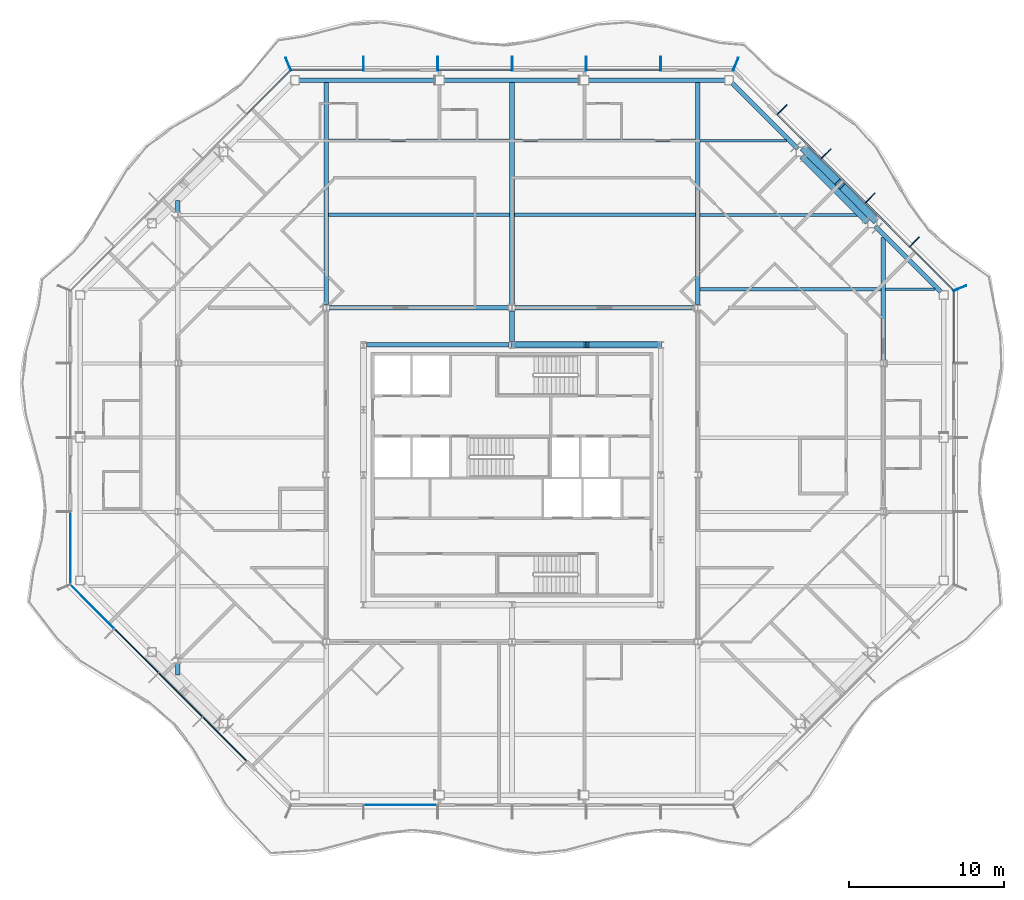
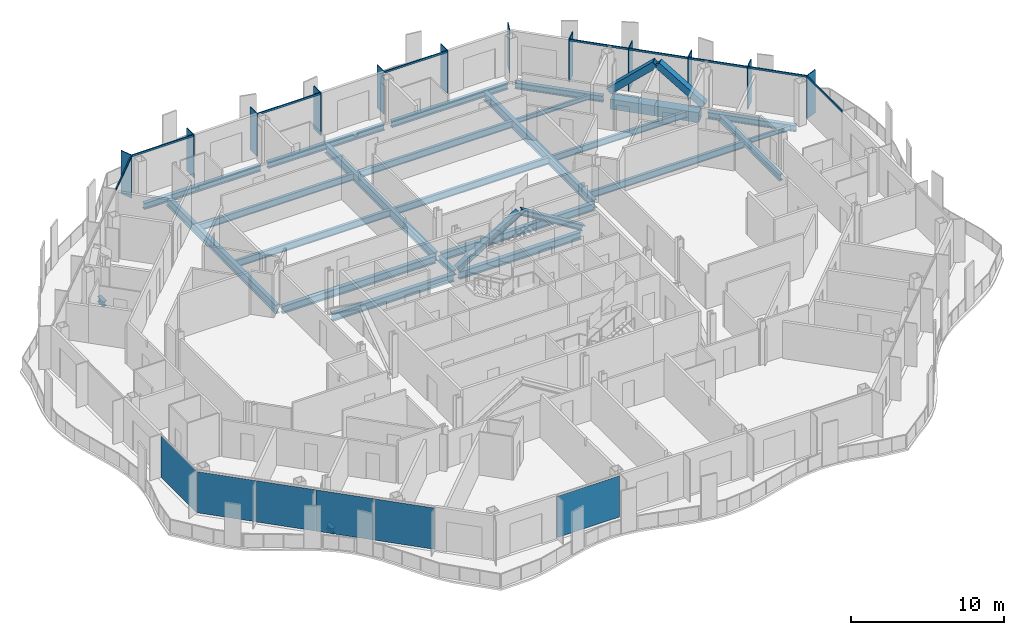
# One storey, part 5 of 21: 26 beams, 25 members, 6 plates, 7 elements without a shape of their own.
"""IFC4 building model written with IfcOpenShell, lengths in metres."""

from ifc_helpers import new_model, si_unit, direction, frame, origin, origin_2d, place, context, subcontext, project, spatial, rectangle, hollow_rectangle, i_section, extrude, material, layer, layer_set, material_profile, profile_set, type_object, element, aggregate, save


model = new_model("IFC4")

# Units and contexts
model_context = context("Model", 3, precision=1e-05, world=origin(), true_north=direction((0.0, 1.0)))
body_context = subcontext(model_context, "Body", "Model", "MODEL_VIEW")
ifc_project = project(units=[si_unit("LENGTHUNIT", "METRE"), si_unit("AREAUNIT", "SQUARE_METRE"), si_unit("VOLUMEUNIT", "CUBIC_METRE"), si_unit("PLANEANGLEUNIT", "RADIAN"), si_unit("MASSUNIT", "GRAM", prefix="KILO")], contexts=[model_context])

# Site, building, storey
site_placement = place(None, origin())
site = spatial("IfcSite", under=ifc_project, at=site_placement, CompositionType="ELEMENT")
building_placement = place(site_placement, origin())
building = spatial("IfcBuilding", under=site, at=building_placement, Name="Cairn Pilgrim Tower", CompositionType="ELEMENT")
storey_placement = place(building_placement, frame((0.0, 0.0, 168.60009765625)))
storey = spatial("IfcBuildingStorey", under=building, at=storey_placement, Name="L42", CompositionType="ELEMENT", Elevation=168.60009765625)

# Members
ifc_material_1 = material(Name="Structural steel S460M", Category="steel")
ifc_material_profile_1 = material_profile(ifc_material_1, hollow_rectangle(XDim=0.5, YDim=0.5, WallThickness=0.030029296875, at=origin_2d()), Name="BOX 500x500x30")
ifc_profile_set_1 = profile_set([ifc_material_profile_1], Name="Structural steel S460M")
member_type_1 = type_object("IfcMemberType", Name="BOX 500x500x30 BRACE", PredefinedType="BRACE", material=ifc_profile_set_1)
for number, where, z_axis, x_axis, name in (
    (1, (30.643310546875, 18.89794921875, 0.14990234375), (-0.53283023714, 0.540432836476, 0.651171473306), (-0.712097799006, -0.702080283622, 0.0), "XB-NE2-NE3-1"),
    (2, (26.097900390625, 23.443359375, 0.14990234375), (0.540432836476, -0.53283023714, 0.651171473306), (0.702080283622, 0.712097799006, 0.0), "XB-NE2-NE3-2"),
):
    element("IfcMember", number, at=place(storey_placement, frame(where, z_axis=z_axis, x_axis=x_axis)), inside=storey, type_object=member_type_1, Name=name, PredefinedType="BRACE", context=body_context, shape_type="SweptSolid", body=[
        extrude(hollow_rectangle(XDim=0.5, YDim=0.5, WallThickness=0.030029296875, at=origin_2d()), origin(), (0.0, 0.0, 1.0), 4.142578125),
    ])

# Beams
ifc_material_2 = material(Name="Structural steel S355J2", Category="steel")
ifc_material_profile_2 = material_profile(ifc_material_2, hollow_rectangle(XDim=0.699951171875, YDim=0.800048828125, WallThickness=0.0400390625, at=origin_2d()), Name="BOX 700x800x40")
ifc_profile_set_2 = profile_set([ifc_material_profile_2], Name="Structural steel S355J2")
beam_type_1 = type_object("IfcBeamType", Name="BOX 700x800x40 RING GIRDER", PredefinedType="SPANDREL", material=ifc_profile_set_2)
beam_1_placement = place(storey_placement, frame((30.284912109375, 18.84228515625, -0.550048828125), z_axis=(-0.707106781187, 0.707106781187, 0.0), x_axis=(-0.707106781187, -0.707106781187, 0.0)))
element("IfcBeam", 3, at=beam_1_placement, inside=storey, type_object=beam_type_1, Name="RG2-NE2-NE3-1", PredefinedType="SPANDREL", context=body_context, shape_type="SweptSolid", body=[
    extrude(hollow_rectangle(XDim=0.699951171875, YDim=0.800048828125, WallThickness=0.0400390625, at=origin_2d()), origin(), (0.0, 0.0, 1.0), 3.0),
])
beam_2_placement = place(storey_placement, frame((28.16357421875, 20.963623046875, -0.550048828125), z_axis=(-0.707106781187, 0.707106781187, 0.0), x_axis=(-0.707106781187, -0.707106781187, 0.0)))
element("IfcBeam", 4, at=beam_2_placement, inside=storey, type_object=beam_type_1, Name="RG2-NE2-NE3-2", PredefinedType="SPANDREL", context=body_context, shape_type="SweptSolid", body=[
    extrude(hollow_rectangle(XDim=0.699951171875, YDim=0.800048828125, WallThickness=0.0400390625, at=origin_2d()), origin(), (0.0, 0.0, 1.0), 2.999755859375),
])

# Curtain wall, members
ifc_material_3 = material(Name="Aluminium alloy 6063-T6 bronze anodised with Bronze tinted laminated low-E glass 8+16+8.8", Category="aluminium")
curtain_wall_type_1 = type_object("IfcCurtainWallType", Name="CHAMFER CORNER CURTAIN WALL", PredefinedType="NOTDEFINED", material=ifc_material_3)
curtain_wall_1_placement = place(storey_placement, origin())
curtain_wall_1 = element("IfcCurtainWall", 5, at=curtain_wall_1_placement, inside=storey, type_object=curtain_wall_type_1, Name="Chamfer Corner Curtain Wall NE", PredefinedType="NOTDEFINED")
ifc_material_4 = material(Name="Aluminium alloy 6063-T6 bronze anodised", Category="aluminium")
ifc_material_profile_3 = material_profile(ifc_material_4, rectangle(XDim=0.89990234375, YDim=0.06005859375, at=origin_2d()), Name="FIN MULLION 60x900 BRONZE")
ifc_profile_set_3 = profile_set([ifc_material_profile_3], Name="Aluminium alloy 6063-T6 bronze anodised")
member_type_2 = type_object("IfcMemberType", Name="FIN MULLION 60x900 BRONZE", PredefinedType="MULLION", material=ifc_profile_set_3)
member_1_placement = place(storey_placement, frame((36.137939453125, 14.457275390625, 0.0), z_axis=(0.0, 0.0, 1.0), x_axis=(0.923879532511, 0.382683432365, 0.0)))
member_1 = element("IfcMember", 6, at=member_1_placement, type_object=member_type_2, Name="Fin mullion NE1", PredefinedType="MULLION", context=body_context, shape_type="SweptSolid", body=[
    extrude(rectangle(XDim=0.89990234375, YDim=0.06005859375, at=origin_2d()), origin(), (0.0, 0.0, 1.0), 3.449951171875),
])
member_2_placement = place(storey_placement, frame((33.1962890625, 17.444091796875, 0.0), z_axis=(0.0, 0.0, 1.0), x_axis=(0.707106781187, 0.707106781187, 0.0)))
member_2 = element("IfcMember", 7, at=member_2_placement, type_object=member_type_2, Name="Fin mullion NE2", PredefinedType="MULLION", context=body_context, shape_type="SweptSolid", body=[
    extrude(rectangle(XDim=0.89990234375, YDim=0.06005859375, at=origin_2d()), origin(), (0.0, 0.0, 1.0), 3.449951171875),
])
member_3_placement = place(storey_placement, frame((30.345458984375, 20.294921875, 0.0), z_axis=(0.0, 0.0, 1.0), x_axis=(0.707106781187, 0.707106781187, 0.0)))
member_3 = element("IfcMember", 8, at=member_3_placement, type_object=member_type_2, Name="Fin mullion NE3", PredefinedType="MULLION", context=body_context, shape_type="SweptSolid", body=[
    extrude(rectangle(XDim=0.89990234375, YDim=0.06005859375, at=origin_2d()), origin(), (0.0, 0.0, 1.0), 3.449951171875),
])
member_4_placement = place(storey_placement, frame((27.494873046875, 23.1455078125, 0.0), z_axis=(0.0, 0.0, 1.0), x_axis=(0.707106781187, 0.707106781187, 0.0)))
member_4 = element("IfcMember", 9, at=member_4_placement, type_object=member_type_2, Name="Fin mullion NE4", PredefinedType="MULLION", context=body_context, shape_type="SweptSolid", body=[
    extrude(rectangle(XDim=0.89990234375, YDim=0.06005859375, at=origin_2d()), origin(), (0.0, 0.0, 1.0), 3.449951171875),
])
member_5_placement = place(storey_placement, frame((24.64404296875, 25.996337890625, 0.0), z_axis=(0.0, 0.0, 1.0), x_axis=(0.707106781187, 0.707106781187, 0.0)))
member_5 = element("IfcMember", 10, at=member_5_placement, type_object=member_type_2, Name="Fin mullion NE5", PredefinedType="MULLION", context=body_context, shape_type="SweptSolid", body=[
    extrude(rectangle(XDim=0.89990234375, YDim=0.06005859375, at=origin_2d()), origin(), (0.0, 0.0, 1.0), 3.449951171875),
])

curtain_wall_type_2 = type_object("IfcCurtainWallType", Name="TOWER STICK CURTAIN WALL NS", PredefinedType="NOTDEFINED", material=ifc_material_3)
curtain_wall_2_placement = place(storey_placement, origin())
curtain_wall_2 = element("IfcCurtainWall", 11, at=curtain_wall_2_placement, inside=storey, type_object=curtain_wall_type_2, Name="Tower Stick Curtain Wall Ns N", PredefinedType="NOTDEFINED")
member_6_placement = place(storey_placement, frame((21.6572265625, 28.93798828125, 0.0), z_axis=(0.0, 0.0, 1.0), x_axis=(0.382683432365, 0.923879532511, 0.0)))
member_6 = element("IfcMember", 12, at=member_6_placement, type_object=member_type_2, Name="Fin mullion N1", PredefinedType="MULLION", context=body_context, shape_type="SweptSolid", body=[
    extrude(rectangle(XDim=0.89990234375, YDim=0.06005859375, at=origin_2d()), origin(), (0.0, 0.0, 1.0), 3.449951171875),
])
member_7_placement = place(storey_placement, frame((16.800048828125, 28.969970703125, 0.0), z_axis=(0.0, 0.0, 1.0), x_axis=(0.0, 1.0, 0.0)))
member_7 = element("IfcMember", 13, at=member_7_placement, type_object=member_type_2, Name="Fin mullion N2", PredefinedType="MULLION", context=body_context, shape_type="SweptSolid", body=[
    extrude(rectangle(XDim=0.89990234375, YDim=0.06005859375, at=origin_2d()), origin(), (0.0, 0.0, 1.0), 3.449951171875),
])
member_8_placement = place(storey_placement, frame((12.0, 28.969970703125, 0.0), z_axis=(0.0, 0.0, 1.0), x_axis=(0.0, 1.0, 0.0)))
member_8 = element("IfcMember", 14, at=member_8_placement, type_object=member_type_2, Name="Fin mullion N3", PredefinedType="MULLION", context=body_context, shape_type="SweptSolid", body=[
    extrude(rectangle(XDim=0.89990234375, YDim=0.06005859375, at=origin_2d()), origin(), (0.0, 0.0, 1.0), 3.449951171875),
])
member_9_placement = place(storey_placement, frame((7.199951171875, 28.969970703125, 0.0), z_axis=(0.0, 0.0, 1.0), x_axis=(0.0, 1.0, 0.0)))
member_9 = element("IfcMember", 15, at=member_9_placement, type_object=member_type_2, Name="Fin mullion N4", PredefinedType="MULLION", context=body_context, shape_type="SweptSolid", body=[
    extrude(rectangle(XDim=0.89990234375, YDim=0.06005859375, at=origin_2d()), origin(), (0.0, 0.0, 1.0), 3.449951171875),
])
member_10_placement = place(storey_placement, frame((2.39990234375, 28.969970703125, 0.0), z_axis=(0.0, 0.0, 1.0), x_axis=(0.0, 1.0, 0.0)))
member_10 = element("IfcMember", 16, at=member_10_placement, type_object=member_type_2, Name="Fin mullion N5", PredefinedType="MULLION", context=body_context, shape_type="SweptSolid", body=[
    extrude(rectangle(XDim=0.89990234375, YDim=0.06005859375, at=origin_2d()), origin(), (0.0, 0.0, 1.0), 3.449951171875),
])
member_11_placement = place(storey_placement, frame((-2.39990234375, 28.969970703125, 0.0), z_axis=(0.0, 0.0, 1.0), x_axis=(0.0, 1.0, 0.0)))
member_11 = element("IfcMember", 17, at=member_11_placement, type_object=member_type_2, Name="Fin mullion N6", PredefinedType="MULLION", context=body_context, shape_type="SweptSolid", body=[
    extrude(rectangle(XDim=0.89990234375, YDim=0.06005859375, at=origin_2d()), origin(), (0.0, 0.0, 1.0), 3.449951171875),
])

# Curtain wall, member
curtain_wall_3_placement = place(storey_placement, origin())
curtain_wall_3 = element("IfcCurtainWall", 18, at=curtain_wall_3_placement, inside=storey, type_object=curtain_wall_type_1, Name="Chamfer Corner Curtain Wall NW", PredefinedType="NOTDEFINED")
member_12_placement = place(storey_placement, frame((-7.257080078125, 28.93798828125, 0.0), z_axis=(0.0, 0.0, 1.0), x_axis=(-0.382683432365, 0.923879532511, 0.0)))
member_12 = element("IfcMember", 19, at=member_12_placement, type_object=member_type_2, Name="Fin mullion NW1", PredefinedType="MULLION", context=body_context, shape_type="SweptSolid", body=[
    extrude(rectangle(XDim=0.89990234375, YDim=0.06005859375, at=origin_2d()), origin(), (0.0, 0.0, 1.0), 3.449951171875),
])

# Members
ifc_material_profile_4 = material_profile(ifc_material_1, i_section(OverallWidth=0.408935546875, OverallDepth=0.425048828125, WebThickness=0.03271484375, FlangeThickness=0.052490234375, FilletRadius=0.014892578125, at=origin_2d()), Name="HD 400x421")
ifc_profile_set_4 = profile_set([ifc_material_profile_4], Name="Structural steel S460M")
member_type_3 = type_object("IfcMemberType", Name="HD 400x421 BRACE", PredefinedType="BRACE", material=ifc_profile_set_4)
for number, where, z_axis, x_axis, name in (
    (20, (16.75830078125, 10.800048828125, 0.099853515625), (-0.851099832195, 0.0, 0.525003881545), (0.0, -1.0, 0.0), "KB-3A"),
    (21, (7.24169921875, 10.800048828125, 0.099853515625), (0.851099832195, 0.0, 0.525003881545), (0.0, 1.0, 0.0), "KB-3B"),
):
    element("IfcMember", number, at=place(storey_placement, frame(where, z_axis=z_axis, x_axis=x_axis)), inside=storey, type_object=member_type_3, Name=name, PredefinedType="BRACE", context=body_context, shape_type="SweptSolid", body=[
        extrude(i_section(OverallWidth=0.408935546875, OverallDepth=0.425048828125, WebThickness=0.03271484375, FlangeThickness=0.052490234375, FilletRadius=0.014892578125, at=origin_2d()), origin(), (0.0, 0.0, 1.0), 5.5283203125),
    ])

# Beams
ifc_material_profile_5 = material_profile(ifc_material_2, i_section(OverallWidth=0.300048828125, OverallDepth=0.39990234375, WebThickness=0.013427734375, FlangeThickness=0.02392578125, FilletRadius=0.027099609375, at=origin_2d()), Name="HEB 400")
ifc_profile_set_5 = profile_set([ifc_material_profile_5], Name="Structural steel S355J2")
beam_type_2 = type_object("IfcBeamType", Name="HEB 400 GIRDER", PredefinedType="BEAM", material=ifc_profile_set_5)
for number, where, z_axis, x_axis, name in (
    (22, (-14.39990234375, -10.545166015625, -0.35009765625), (0.0, 1.0, 0.0), (-1.0, 0.0, 0.0), "PG1-E1"),
    (23, (-14.39990234375, 19.3994140625, -0.35009765625), (0.0, 1.0, 0.0), (-1.0, 0.0, 0.0), "PG1-E2"),
):
    element("IfcBeam", number, at=place(storey_placement, frame(where, z_axis=z_axis, x_axis=x_axis)), inside=storey, type_object=beam_type_2, Name=name, PredefinedType="BEAM", context=body_context, shape_type="SweptSolid", body=[
        extrude(i_section(OverallWidth=0.300048828125, OverallDepth=0.39990234375, WebThickness=0.013427734375, FlangeThickness=0.02392578125, FilletRadius=0.027099609375, at=origin_2d()), origin(), (0.0, 0.0, 1.0), 0.74560546875),
    ])
beam_3_placement = place(storey_placement, frame((7.199951171875, 11.008056640625, -0.35009765625), z_axis=(0.0, 1.0, 0.0), x_axis=(-1.0, 0.0, 0.0)))
element("IfcBeam", 24, at=beam_3_placement, inside=storey, type_object=beam_type_2, Name="PG3-E2", PredefinedType="BEAM", context=body_context, shape_type="SweptSolid", body=[
    extrude(i_section(OverallWidth=0.300048828125, OverallDepth=0.39990234375, WebThickness=0.013427734375, FlangeThickness=0.02392578125, FilletRadius=0.027099609375, at=origin_2d()), origin(), (0.0, 0.0, 1.0), 1.992431640625),
])
ifc_material_profile_6 = material_profile(ifc_material_2, i_section(OverallWidth=0.300048828125, OverallDepth=0.5, WebThickness=0.014404296875, FlangeThickness=0.028076171875, FilletRadius=0.027099609375, at=origin_2d()), Name="HEB 500")
ifc_profile_set_6 = profile_set([ifc_material_profile_6], Name="Structural steel S355J2")
beam_type_3 = type_object("IfcBeamType", Name="HEB 500 GIRDER", PredefinedType="BEAM", material=ifc_profile_set_6)
beam_4_placement = place(storey_placement, frame((31.199951171875, 9.804443359375, -0.400146484375), z_axis=(0.0, 1.0, 0.0), x_axis=(-1.0, 0.0, 0.0)))
element("IfcBeam", 25, at=beam_4_placement, inside=storey, type_object=beam_type_3, Name="PG5-3", PredefinedType="BEAM", context=body_context, shape_type="SweptSolid", body=[
    extrude(i_section(OverallWidth=0.300048828125, OverallDepth=0.5, WebThickness=0.014404296875, FlangeThickness=0.028076171875, FilletRadius=0.027099609375, at=origin_2d()), origin(), (0.0, 0.0, 1.0), 7.940673828125),
])
ifc_material_profile_7 = material_profile(ifc_material_2, i_section(OverallWidth=0.300048828125, OverallDepth=0.5, WebThickness=0.014404296875, FlangeThickness=0.028076171875, FilletRadius=0.027099609375, at=origin_2d()), Name="HEB 500")
ifc_profile_set_7 = profile_set([ifc_material_profile_7], Name="Structural steel S355J2")
beam_type_4 = type_object("IfcBeamType", Name="HEB 500 RING GIRDER", PredefinedType="SPANDREL", material=ifc_profile_set_7)
beam_5_placement = place(storey_placement, frame((34.9091796875, 14.218017578125, -0.400146484375), z_axis=(-0.707086435425, 0.707127126363, 0.0), x_axis=(-0.707127126363, -0.707086435425, 0.0)))
element("IfcBeam", 26, at=beam_5_placement, inside=storey, type_object=beam_type_4, Name="RG2-NE1-NE2", PredefinedType="SPANDREL", context=body_context, shape_type="SweptSolid", body=[
    extrude(i_section(OverallWidth=0.300048828125, OverallDepth=0.5, WebThickness=0.014404296875, FlangeThickness=0.028076171875, FilletRadius=0.027099609375, at=origin_2d()), origin(), (0.0, 0.0, 1.0), 5.999755859375),
])
beam_6_placement = place(storey_placement, frame((25.66064453125, 23.466796875, -0.400146484375), z_axis=(-0.707127127534, 0.707086434254, 0.0), x_axis=(-0.707086434254, -0.707127127534, 0.0)))
element("IfcBeam", 27, at=beam_6_placement, inside=storey, type_object=beam_type_4, Name="RG2-NE3-N1", PredefinedType="SPANDREL", context=body_context, shape_type="SweptSolid", body=[
    extrude(i_section(OverallWidth=0.300048828125, OverallDepth=0.5, WebThickness=0.014404296875, FlangeThickness=0.028076171875, FilletRadius=0.027099609375, at=origin_2d()), origin(), (0.0, 0.0, 1.0), 5.99951171875),
])
for number, where, z_axis, x_axis, name in (
    (28, (20.957275390625, 27.89990234375, -0.400146484375), (-1.0, 0.0, 0.0), (0.0, -1.0, 0.0), "RG2-N1-N2"),
    (29, (11.605712890625, 27.89990234375, -0.400146484375), (-1.0, 0.0, 0.0), (0.0, -1.0, 0.0), "RG2-N2-N3"),
    (30, (2.25439453125, 27.89990234375, -0.400146484375), (-1.0, 0.0, 0.0), (0.0, -1.0, 0.0), "RG2-N3-NW1"),
):
    element("IfcBeam", number, at=place(storey_placement, frame(where, z_axis=z_axis, x_axis=x_axis)), inside=storey, type_object=beam_type_4, Name=name, PredefinedType="SPANDREL", context=body_context, shape_type="SweptSolid", body=[
        extrude(i_section(OverallWidth=0.300048828125, OverallDepth=0.5, WebThickness=0.014404296875, FlangeThickness=0.028076171875, FilletRadius=0.027099609375, at=origin_2d()), origin(), (0.0, 0.0, 1.0), 8.8115234375),
    ])
ifc_material_profile_8 = material_profile(ifc_material_2, i_section(OverallWidth=0.300048828125, OverallDepth=0.60009765625, WebThickness=0.015380859375, FlangeThickness=0.030029296875, FilletRadius=0.027099609375, at=origin_2d()), Name="HEB 600")
ifc_profile_set_8 = profile_set([ifc_material_profile_8], Name="Structural steel S355J2")
beam_type_5 = type_object("IfcBeamType", Name="HEB 600 CORE BEAM", PredefinedType="BEAM", material=ifc_profile_set_8)
for number, where, z_axis, x_axis, name in (
    (31, (16.61279296875, 10.800048828125, -0.4501953125), (-1.0, 0.0, 0.0), (0.0, -1.0, 0.0), "CB-5"),
    (32, (7.0126953125, 10.800048828125, -0.4501953125), (-1.0, 0.0, 0.0), (0.0, -1.0, 0.0), "CB-6"),
):
    element("IfcBeam", number, at=place(storey_placement, frame(where, z_axis=z_axis, x_axis=x_axis)), inside=storey, type_object=beam_type_5, Name=name, PredefinedType="BEAM", context=body_context, shape_type="SweptSolid", body=[
        extrude(i_section(OverallWidth=0.300048828125, OverallDepth=0.60009765625, WebThickness=0.015380859375, FlangeThickness=0.030029296875, FilletRadius=0.027099609375, at=origin_2d()), origin(), (0.0, 0.0, 1.0), 9.2255859375),
    ])
ifc_material_profile_9 = material_profile(ifc_material_2, i_section(OverallWidth=0.300048828125, OverallDepth=0.60009765625, WebThickness=0.015380859375, FlangeThickness=0.030029296875, FilletRadius=0.027099609375, at=origin_2d()), Name="HEB 600")
ifc_profile_set_9 = profile_set([ifc_material_profile_9], Name="Structural steel S355J2")
beam_type_6 = type_object("IfcBeamType", Name="HEB 600 INNER GIRDER", PredefinedType="BEAM", material=ifc_profile_set_9)
for number, where, z_axis, x_axis, name in (
    (33, (-4.6005859375, 13.199951171875, -0.4501953125), (1.0, 0.0, 0.0), (0.0, 1.0, 0.0), "IG2-1"),
    (34, (7.3994140625, 13.199951171875, -0.4501953125), (1.0, 0.0, 0.0), (0.0, 1.0, 0.0), "IG2-2"),
):
    element("IfcBeam", number, at=place(storey_placement, frame(where, z_axis=z_axis, x_axis=x_axis)), inside=storey, type_object=beam_type_6, Name=name, PredefinedType="BEAM", context=body_context, shape_type="SweptSolid", body=[
        extrude(i_section(OverallWidth=0.300048828125, OverallDepth=0.60009765625, WebThickness=0.015380859375, FlangeThickness=0.030029296875, FilletRadius=0.027099609375, at=origin_2d()), origin(), (0.0, 0.0, 1.0), 11.60107421875),
    ])
ifc_material_profile_10 = material_profile(ifc_material_2, i_section(OverallWidth=0.300048828125, OverallDepth=0.699951171875, WebThickness=0.01708984375, FlangeThickness=0.031982421875, FilletRadius=0.027099609375, at=origin_2d()), Name="HEB 700")
ifc_profile_set_10 = profile_set([ifc_material_profile_10], Name="Structural steel S355J2")
beam_type_7 = type_object("IfcBeamType", Name="HEB 700 GIRDER", PredefinedType="BEAM", material=ifc_profile_set_10)
for number, where, z_axis, x_axis, name in (
    (35, (-4.800048828125, 13.3994140625, -0.5), (0.0, 1.0, 0.0), (-1.0, 0.0, 0.0), "PG2-4"),
    (36, (7.199951171875, 13.3994140625, -0.5), (0.0, 1.0, 0.0), (-1.0, 0.0, 0.0), "PG3-2"),
    (37, (19.199951171875, 13.3994140625, -0.5), (0.0, 1.0, 0.0), (-1.0, 0.0, 0.0), "PG4-4"),
):
    element("IfcBeam", number, at=place(storey_placement, frame(where, z_axis=z_axis, x_axis=x_axis)), inside=storey, type_object=beam_type_7, Name=name, PredefinedType="BEAM", context=body_context, shape_type="SweptSolid", body=[
        extrude(i_section(OverallWidth=0.300048828125, OverallDepth=0.699951171875, WebThickness=0.01708984375, FlangeThickness=0.031982421875, FilletRadius=0.027099609375, at=origin_2d()), origin(), (0.0, 0.0, 1.0), 14.380615234375),
    ])
ifc_material_profile_11 = material_profile(ifc_material_2, i_section(OverallWidth=0.169921875, OverallDepth=0.360107421875, WebThickness=0.008056640625, FlangeThickness=0.0126953125, FilletRadius=0.01806640625, at=origin_2d()), Name="IPE 360")
ifc_profile_set_11 = profile_set([ifc_material_profile_11], Name="Structural steel S355J2")
beam_type_8 = type_object("IfcBeamType", Name="IPE 360 SECONDARY BEAM", PredefinedType="JOIST", material=ifc_profile_set_11)
beam_7_placement = place(storey_placement, frame((31.35009765625, 14.39990234375, -0.330078125), z_axis=(1.0, 0.0, 0.0), x_axis=(0.0, 1.0, 0.0)))
element("IfcBeam", 38, at=beam_7_placement, inside=storey, type_object=beam_type_8, Name="SB7-4", PredefinedType="JOIST", context=body_context, shape_type="SweptSolid", body=[
    extrude(i_section(OverallWidth=0.169921875, OverallDepth=0.360107421875, WebThickness=0.008056640625, FlangeThickness=0.0126953125, FilletRadius=0.01806640625, at=origin_2d()), origin(), (0.0, 0.0, 1.0), 3.195068359375),
])
beam_8_placement = place(storey_placement, frame((19.35009765625, 24.0, -0.330078125), z_axis=(1.0, 0.0, 0.0), x_axis=(0.0, 1.0, 0.0)))
element("IfcBeam", 39, at=beam_8_placement, inside=storey, type_object=beam_type_8, Name="SB9-4", PredefinedType="JOIST", context=body_context, shape_type="SweptSolid", body=[
    extrude(i_section(OverallWidth=0.169921875, OverallDepth=0.360107421875, WebThickness=0.008056640625, FlangeThickness=0.0126953125, FilletRadius=0.01806640625, at=origin_2d()), origin(), (0.0, 0.0, 1.0), 5.594970703125),
])
ifc_material_profile_12 = material_profile(ifc_material_2, i_section(OverallWidth=0.199951171875, OverallDepth=0.5, WebThickness=0.01025390625, FlangeThickness=0.01611328125, FilletRadius=0.02099609375, at=origin_2d()), Name="IPE 500")
ifc_profile_set_12 = profile_set([ifc_material_profile_12], Name="Structural steel S355J2")
beam_type_9 = type_object("IfcBeamType", Name="IPE 500 SECONDARY BEAM", PredefinedType="JOIST", material=ifc_profile_set_12)
beam_9_placement = place(storey_placement, frame((19.35009765625, 19.199951171875, -0.400146484375), z_axis=(1.0, 0.0, 0.0), x_axis=(0.0, 1.0, 0.0)))
element("IfcBeam", 40, at=beam_9_placement, inside=storey, type_object=beam_type_9, Name="SB8-4", PredefinedType="JOIST", context=body_context, shape_type="SweptSolid", body=[
    extrude(i_section(OverallWidth=0.199951171875, OverallDepth=0.5, WebThickness=0.01025390625, FlangeThickness=0.01611328125, FilletRadius=0.02099609375, at=origin_2d()), origin(), (0.0, 0.0, 1.0), 10.39501953125),
])
ifc_material_profile_13 = material_profile(ifc_material_2, i_section(OverallWidth=0.2099609375, OverallDepth=0.550048828125, WebThickness=0.010986328125, FlangeThickness=0.01708984375, FilletRadius=0.02392578125, at=origin_2d()), Name="IPE 550")
ifc_profile_set_13 = profile_set([ifc_material_profile_13], Name="Structural steel S355J2")
beam_type_10 = type_object("IfcBeamType", Name="IPE 550 SECONDARY BEAM", PredefinedType="JOIST", material=ifc_profile_set_13)
for number, where, z_axis, x_axis, name in (
    (41, (19.35009765625, 14.39990234375, -0.425048828125), (1.0, 0.0, 0.0), (0.0, 1.0, 0.0), "SB7-3"),
    (42, (-4.64990234375, 19.199951171875, -0.425048828125), (1.0, 0.0, 0.0), (0.0, 1.0, 0.0), "SB8-2"),
    (43, (7.35009765625, 19.199951171875, -0.425048828125), (1.0, 0.0, 0.0), (0.0, 1.0, 0.0), "SB8-3"),
    (44, (-4.64990234375, 24.0, -0.425048828125), (1.0, 0.0, 0.0), (0.0, 1.0, 0.0), "SB9-2"),
    (45, (7.35009765625, 24.0, -0.425048828125), (1.0, 0.0, 0.0), (0.0, 1.0, 0.0), "SB9-3"),
):
    element("IfcBeam", number, at=place(storey_placement, frame(where, z_axis=z_axis, x_axis=x_axis)), inside=storey, type_object=beam_type_10, Name=name, PredefinedType="JOIST", context=body_context, shape_type="SweptSolid", body=[
        extrude(i_section(OverallWidth=0.2099609375, OverallDepth=0.550048828125, WebThickness=0.010986328125, FlangeThickness=0.01708984375, FilletRadius=0.02392578125, at=origin_2d()), origin(), (0.0, 0.0, 1.0), 11.699951171875),
    ])

# Curtain wall, member
curtain_wall_type_3 = type_object("IfcCurtainWallType", Name="TOWER STICK CURTAIN WALL EW", PredefinedType="NOTDEFINED", material=ifc_material_3)
curtain_wall_4_placement = place(storey_placement, origin())
curtain_wall_4 = element("IfcCurtainWall", 46, at=curtain_wall_4_placement, inside=storey, type_object=curtain_wall_type_3, Name="Tower Stick Curtain Wall Ew E", PredefinedType="NOTDEFINED")
ifc_material_profile_14 = material_profile(ifc_material_4, rectangle(XDim=0.080078125, YDim=0.14990234375, at=origin_2d()), Name="TRANSOM 80x150 BRONZE")
ifc_profile_set_14 = profile_set([ifc_material_profile_14], Name="Aluminium alloy 6063-T6 bronze anodised")
member_type_4 = type_object("IfcMemberType", Name="TRANSOM 80x150 BRONZE", PredefinedType="USERDEFINED", material=ifc_profile_set_14)
member_13_placement = place(storey_placement, frame((35.75, 9.6298828125, 3.375), z_axis=(0.0, 1.0, 0.0), x_axis=(-1.0, 0.0, 0.0)))
member_13 = element("IfcMember", 47, at=member_13_placement, type_object=member_type_4, Name="Transom E4", ObjectType="TRANSOM", PredefinedType="USERDEFINED", context=body_context, shape_type="SweptSolid", body=[
    extrude(rectangle(XDim=0.080078125, YDim=0.14990234375, at=origin_2d()), origin(), (0.0, 0.0, 1.0), 4.62646484375),
])
aggregate(curtain_wall_4, [member_13])

# Member
member_14_placement = place(storey_placement, frame((35.7216796875, 14.32470703125, 3.375), z_axis=(-0.707106781187, 0.707106781187, 0.0), x_axis=(-0.707106781187, -0.707106781187, 0.0)))
member_14 = element("IfcMember", 48, at=member_14_placement, type_object=member_type_4, Name="Transom NE1", ObjectType="TRANSOM", PredefinedType="USERDEFINED", context=body_context, shape_type="SweptSolid", body=[
    extrude(rectangle(XDim=0.080078125, YDim=0.14990234375, at=origin_2d()), origin(), (0.0, 0.0, 1.0), 3.961669921875),
])

member_15_placement = place(storey_placement, frame((32.878173828125, 17.16845703125, 3.375), z_axis=(-0.70713751761, 0.707076043427, 0.0), x_axis=(-0.707076043427, -0.70713751761, 0.0)))
member_15 = element("IfcMember", 49, at=member_15_placement, type_object=member_type_4, Name="Transom NE2", ObjectType="TRANSOM", PredefinedType="USERDEFINED", context=body_context, shape_type="SweptSolid", body=[
    extrude(rectangle(XDim=0.080078125, YDim=0.14990234375, at=origin_2d()), origin(), (0.0, 0.0, 1.0), 3.971435546875),
])

member_16_placement = place(storey_placement, frame((30.02734375, 20.01904296875, 3.375), z_axis=(-0.707106781187, 0.707106781187, 0.0), x_axis=(-0.707106781187, -0.707106781187, 0.0)))
member_16 = element("IfcMember", 50, at=member_16_placement, type_object=member_type_4, Name="Transom NE3", ObjectType="TRANSOM", PredefinedType="USERDEFINED", context=body_context, shape_type="SweptSolid", body=[
    extrude(rectangle(XDim=0.080078125, YDim=0.14990234375, at=origin_2d()), origin(), (0.0, 0.0, 1.0), 3.9716796875),
])

member_17_placement = place(storey_placement, frame((27.1767578125, 22.869873046875, 3.375), z_axis=(-0.70713751761, 0.707076043427, 0.0), x_axis=(-0.707076043427, -0.70713751761, 0.0)))
member_17 = element("IfcMember", 51, at=member_17_placement, type_object=member_type_4, Name="Transom NE4", ObjectType="TRANSOM", PredefinedType="USERDEFINED", context=body_context, shape_type="SweptSolid", body=[
    extrude(rectangle(XDim=0.080078125, YDim=0.14990234375, at=origin_2d()), origin(), (0.0, 0.0, 1.0), 3.971435546875),
])

aggregate(curtain_wall_1, [member_1, member_2, member_3, member_4, member_5, member_14, member_15, member_16, member_17])

member_18_placement = place(storey_placement, frame((16.77001953125, 28.550048828125, 3.375), z_axis=(-1.0, 0.0, 0.0), x_axis=(0.0, -1.0, 0.0)))
member_18 = element("IfcMember", 52, at=member_18_placement, type_object=member_type_4, Name="Transom N2", ObjectType="TRANSOM", PredefinedType="USERDEFINED", context=body_context, shape_type="SweptSolid", body=[
    extrude(rectangle(XDim=0.080078125, YDim=0.14990234375, at=origin_2d()), origin(), (0.0, 0.0, 1.0), 4.739990234375),
])

member_19_placement = place(storey_placement, frame((7.169921875, 28.550048828125, 3.375), z_axis=(-1.0, 0.0, 0.0), x_axis=(0.0, -1.0, 0.0)))
member_19 = element("IfcMember", 53, at=member_19_placement, type_object=member_type_4, Name="Transom N4", ObjectType="TRANSOM", PredefinedType="USERDEFINED", context=body_context, shape_type="SweptSolid", body=[
    extrude(rectangle(XDim=0.080078125, YDim=0.14990234375, at=origin_2d()), origin(), (0.0, 0.0, 1.0), 4.739990234375),
])

member_20_placement = place(storey_placement, frame((-2.429931640625, 28.550048828125, 3.375), z_axis=(-1.0, 0.0, 0.0), x_axis=(0.0, -1.0, 0.0)))
member_20 = element("IfcMember", 54, at=member_20_placement, type_object=member_type_4, Name="Transom N6", ObjectType="TRANSOM", PredefinedType="USERDEFINED", context=body_context, shape_type="SweptSolid", body=[
    extrude(rectangle(XDim=0.080078125, YDim=0.14990234375, at=origin_2d()), origin(), (0.0, 0.0, 1.0), 4.62646484375),
])

aggregate(curtain_wall_2, [member_6, member_7, member_8, member_9, member_10, member_11, member_18, member_19, member_20])

member_21_placement = place(storey_placement, frame((-7.124755859375, 28.521728515625, 3.375), z_axis=(-0.707106781187, -0.707106781187, 0.0), x_axis=(0.707106781187, -0.707106781187, 0.0)))
member_21 = element("IfcMember", 55, at=member_21_placement, type_object=member_type_4, Name="Transom NW1", ObjectType="TRANSOM", PredefinedType="USERDEFINED", context=body_context, shape_type="SweptSolid", body=[
    extrude(rectangle(XDim=0.080078125, YDim=0.14990234375, at=origin_2d()), origin(), (0.0, 0.0, 1.0), 3.961669921875),
])

aggregate(curtain_wall_3, [member_12, member_21])

# Curtain wall, plates
curtain_wall_5_placement = place(storey_placement, origin())
curtain_wall_5 = element("IfcCurtainWall", 56, at=curtain_wall_5_placement, inside=storey, type_object=curtain_wall_type_1, Name="Chamfer Corner Curtain Wall SW", PredefinedType="NOTDEFINED")
ifc_material_5 = material(Name="Bronze anodised aluminium spandrel panel with mineral wool insulation", Category="aluminium")
ifc_layer_1 = layer(ifc_material_5, 0.06005859375)
ifc_layer_set_1 = layer_set([ifc_layer_1], Name="SPANDREL PANEL 3972x3300")
plate_type_1 = type_object("IfcPlateType", Name="SPANDREL PANEL 3972x3300", PredefinedType="CURTAIN_PANEL", material=ifc_layer_set_1)
plate_1_placement = place(storey_placement, frame((-17.073974609375, -8.972412109375, 0.0), z_axis=(0.0, 0.0, 1.0), x_axis=(0.707106781187, -0.707106781187, 0.0)))
plate_1 = element("IfcPlate", 57, at=plate_1_placement, type_object=plate_type_1, Name="Spandrel Panel SW2-1", PredefinedType="CURTAIN_PANEL", context=body_context, shape_type="SweptSolid", body=[
    extrude(rectangle(XDim=3.971435546875, YDim=0.06005859375, at=origin_2d()), origin(), (0.0, 0.0, 1.0), 3.300048828125),
])
plate_2_placement = place(storey_placement, frame((-14.22314453125, -11.8232421875, 0.0), z_axis=(0.0, 0.0, 1.0), x_axis=(0.707106781187, -0.707106781187, 0.0)))
plate_2 = element("IfcPlate", 58, at=plate_2_placement, type_object=plate_type_1, Name="Spandrel Panel SW3-1", PredefinedType="CURTAIN_PANEL", context=body_context, shape_type="SweptSolid", body=[
    extrude(rectangle(XDim=3.971435546875, YDim=0.06005859375, at=origin_2d()), origin(), (0.0, 0.0, 1.0), 3.300048828125),
])
plate_3_placement = place(storey_placement, frame((-11.37255859375, -14.673828125, 0.0), z_axis=(0.0, 0.0, 1.0), x_axis=(0.707106781187, -0.707106781187, 0.0)))
plate_3 = element("IfcPlate", 59, at=plate_3_placement, type_object=plate_type_1, Name="Spandrel Panel SW4-1", PredefinedType="CURTAIN_PANEL", context=body_context, shape_type="SweptSolid", body=[
    extrude(rectangle(XDim=3.971435546875, YDim=0.06005859375, at=origin_2d()), origin(), (0.0, 0.0, 1.0), 3.300048828125),
])
ifc_material_6 = material(Name="Bronze tinted laminated low-E glass 8+16+8.8", Category="glass")
ifc_layer_2 = layer(ifc_material_6, 0.033935546875)
ifc_layer_set_2 = layer_set([ifc_layer_2], Name="VISION GLAZING 3962x3300")
plate_type_2 = type_object("IfcPlateType", Name="VISION GLAZING 3962x3300", PredefinedType="CURTAIN_PANEL", material=ifc_layer_set_2)
plate_4_placement = place(storey_placement, frame((-19.921142578125, -6.125244140625, 0.0), z_axis=(0.0, 0.0, 1.0), x_axis=(0.707106781187, -0.707106781187, 0.0)))
plate_4 = element("IfcPlate", 60, at=plate_4_placement, type_object=plate_type_2, Name="Vision Glazing SW1-1", PredefinedType="CURTAIN_PANEL", context=body_context, shape_type="SweptSolid", body=[
    extrude(rectangle(XDim=3.96142578125, YDim=0.033935546875, at=origin_2d()), origin(), (0.0, 0.0, 1.0), 3.300048828125),
])
aggregate(curtain_wall_5, [plate_4, plate_1, plate_2, plate_3])

# Curtain wall, plate
curtain_wall_6_placement = place(storey_placement, origin())
curtain_wall_6 = element("IfcCurtainWall", 61, at=curtain_wall_6_placement, inside=storey, type_object=curtain_wall_type_3, Name="Tower Stick Curtain Wall Ew W", PredefinedType="NOTDEFINED")
ifc_layer_3 = layer(ifc_material_6, 0.033935546875)
ifc_layer_set_3 = layer_set([ifc_layer_3], Name="VISION GLAZING 4626x3300")
plate_type_3 = type_object("IfcPlateType", Name="VISION GLAZING 4626x3300", PredefinedType="CURTAIN_PANEL", material=ifc_layer_set_3)
plate_5_placement = place(storey_placement, frame((-21.35009765625, -2.34326171875, 0.0), z_axis=(0.0, 0.0, 1.0), x_axis=(0.0, -1.0, 0.0)))
plate_5 = element("IfcPlate", 62, at=plate_5_placement, type_object=plate_type_3, Name="Vision Glazing W4-1", PredefinedType="CURTAIN_PANEL", context=body_context, shape_type="SweptSolid", body=[
    extrude(rectangle(XDim=4.62646484375, YDim=0.033935546875, at=origin_2d()), origin(), (0.0, 0.0, 1.0), 3.300048828125),
])
aggregate(curtain_wall_6, [plate_5])

curtain_wall_7_placement = place(storey_placement, origin())
curtain_wall_7 = element("IfcCurtainWall", 63, at=curtain_wall_7_placement, inside=storey, type_object=curtain_wall_type_2, Name="Tower Stick Curtain Wall Ns S", PredefinedType="NOTDEFINED")
ifc_layer_4 = layer(ifc_material_6, 0.033935546875)
ifc_layer_set_4 = layer_set([ifc_layer_4], Name="VISION GLAZING 4740x3300")
plate_type_4 = type_object("IfcPlateType", Name="VISION GLAZING 4740x3300", PredefinedType="CURTAIN_PANEL", material=ifc_layer_set_4)
plate_6_placement = place(storey_placement, frame((0.0, -18.949951171875, 0.0), z_axis=(0.0, 0.0, 1.0), x_axis=(1.0, 0.0, 0.0)))
plate_6 = element("IfcPlate", 64, at=plate_6_placement, type_object=plate_type_4, Name="Vision Glazing S2-1", PredefinedType="CURTAIN_PANEL", context=body_context, shape_type="SweptSolid", body=[
    extrude(rectangle(XDim=4.739990234375, YDim=0.033935546875, at=origin_2d()), origin(), (0.0, 0.0, 1.0), 3.300048828125),
])
aggregate(curtain_wall_7, [plate_6])

save(model, "model.ifc")
